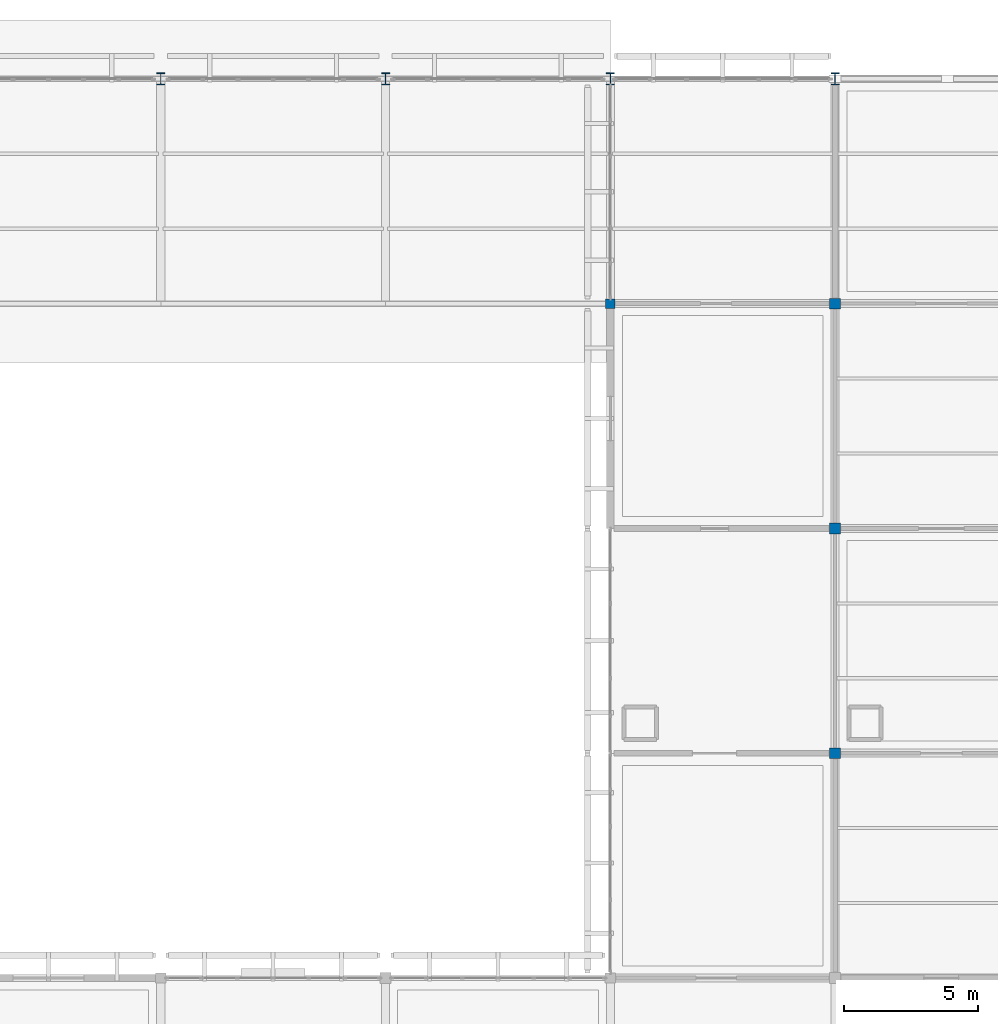
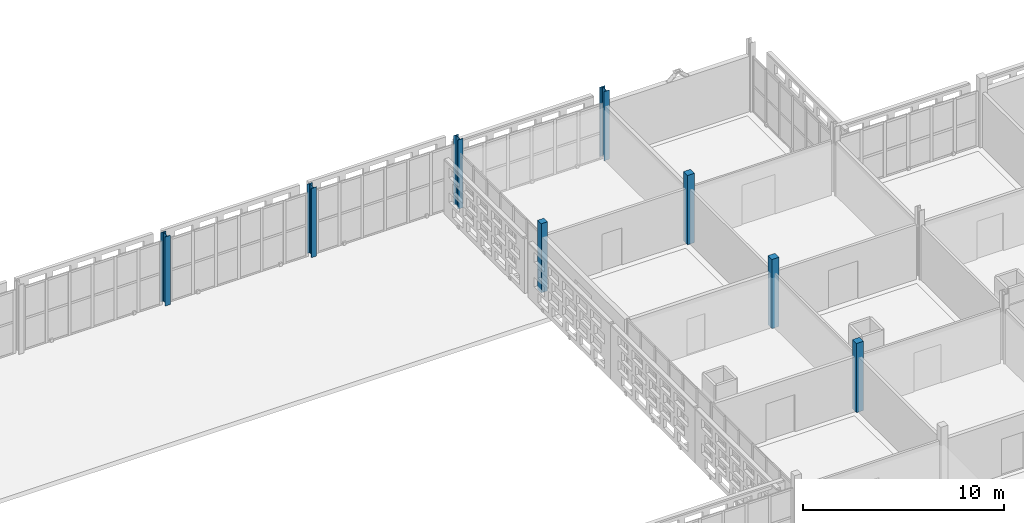
# One storey, part 10 of 166: 8 columns.
"""IFC4 building model written with IfcOpenShell, lengths in metres."""

from ifc_helpers import new_model, si_unit, direction, frame, origin, origin_2d, place, context, subcontext, project, spatial, rectangle, i_section, extrude, material, material_profile, profile_set, type_object, element, save


model = new_model("IFC4")

# Units and contexts
model_context = context("Model", 3, precision=1e-05, world=origin(), true_north=direction((0.0, 1.0)))
body_context = subcontext(model_context, "Body", "Model", "MODEL_VIEW")
ifc_project = project(units=[si_unit("LENGTHUNIT", "METRE"), si_unit("AREAUNIT", "SQUARE_METRE"), si_unit("VOLUMEUNIT", "CUBIC_METRE"), si_unit("PLANEANGLEUNIT", "RADIAN"), si_unit("MASSUNIT", "GRAM", prefix="KILO")], contexts=[model_context])

# Site, building, storey
site_placement = place(None, origin())
site = spatial("IfcSite", under=ifc_project, at=site_placement, CompositionType="ELEMENT")
building_placement = place(site_placement, origin())
building = spatial("IfcBuilding", under=site, at=building_placement, Name="Varnapada Polytechnic", CompositionType="ELEMENT")
storey_placement = place(building_placement, frame((0.0, 0.0, 9.60009765625)))
storey = spatial("IfcBuildingStorey", under=building, at=storey_placement, Name="L02", CompositionType="ELEMENT", Elevation=9.60009765625)

# Columns
ifc_material_1 = material(Name="Steel S355", Category="steel")
ifc_material_profile_1 = material_profile(ifc_material_1, i_section(OverallWidth=0.300048828125, OverallDepth=0.449951171875, WebThickness=0.013916015625, FlangeThickness=0.02587890625, FilletRadius=0.027099609375, at=origin_2d()), Name="HEB 450")
ifc_profile_set_1 = profile_set([ifc_material_profile_1], Name="Steel S355")
column_type_1 = type_object("IfcColumnType", Name="Column C-07 (HEB 450)", PredefinedType="COLUMN", material=ifc_profile_set_1)
for number, where, z_axis, x_axis, name in (
    (1, (100.800048828125, 126.0, 0.0), (0.0, 0.0, 1.0), (1.0, 0.0, 0.0), "L02 column 13/16"),
    (2, (109.199951171875, 126.0, 0.0), (0.0, 0.0, 1.0), (1.0, 0.0, 0.0), "L02 column 14/16"),
    (3, (117.60009765625, 126.0, 0.0), (0.0, 0.0, 1.0), (1.0, 0.0, 0.0), "L02 column 15/16"),
    (4, (126.0, 126.0, 0.0), (0.0, 0.0, 1.0), (1.0, 0.0, 0.0), "L02 column 16/16"),
):
    element("IfcColumn", number, at=place(storey_placement, frame(where, z_axis=z_axis, x_axis=x_axis)), inside=storey, type_object=column_type_1, Name=name, PredefinedType="COLUMN", context=body_context, shape_type="SweptSolid", body=[
        extrude(i_section(OverallWidth=0.300048828125, OverallDepth=0.449951171875, WebThickness=0.013916015625, FlangeThickness=0.02587890625, FilletRadius=0.027099609375, at=origin_2d()), origin(), (0.0, 0.0, 1.0), 4.199951171875),
    ])
ifc_material_2 = material(Name="Glulam GL32h", Category="wood")
ifc_material_profile_2 = material_profile(ifc_material_2, rectangle(XDim=0.39990234375, YDim=0.39990234375, at=origin_2d()), Name="GL 400x400")
ifc_profile_set_2 = profile_set([ifc_material_profile_2], Name="Glulam GL32h")
column_type_2 = type_object("IfcColumnType", Name="Column C-13 (GL 400x400)", PredefinedType="COLUMN", material=ifc_profile_set_2)
for number, where, z_axis, x_axis, name in (
    (5, (126.0, 100.800048828125, 0.0), (0.0, 0.0, 1.0), (1.0, 0.0, 0.0), "L02 column 16/13"),
    (6, (126.0, 109.199951171875, 0.0), (0.0, 0.0, 1.0), (1.0, 0.0, 0.0), "L02 column 16/14"),
    (7, (126.0, 117.60009765625, 0.0), (0.0, 0.0, 1.0), (1.0, 0.0, 0.0), "L02 column 16/15"),
):
    element("IfcColumn", number, at=place(storey_placement, frame(where, z_axis=z_axis, x_axis=x_axis)), inside=storey, type_object=column_type_2, Name=name, PredefinedType="COLUMN", context=body_context, shape_type="SweptSolid", body=[
        extrude(rectangle(XDim=0.39990234375, YDim=0.39990234375, at=origin_2d()), origin(), (0.0, 0.0, 1.0), 4.199951171875),
    ])
ifc_material_profile_3 = material_profile(ifc_material_2, rectangle(XDim=0.360107421875, YDim=0.360107421875, at=origin_2d()), Name="GL 360x360")
ifc_profile_set_3 = profile_set([ifc_material_profile_3], Name="Glulam GL32h")
column_type_3 = type_object("IfcColumnType", Name="Column C-14 (GL 360x360)", PredefinedType="COLUMN", material=ifc_profile_set_3)
column_placement = place(storey_placement, frame((117.60009765625, 117.60009765625, 0.0), z_axis=(0.0, 0.0, 1.0), x_axis=(1.0, 0.0, 0.0)))
element("IfcColumn", 8, at=column_placement, inside=storey, type_object=column_type_3, Name="L02 column 15/15", PredefinedType="COLUMN", context=body_context, shape_type="SweptSolid", body=[
    extrude(rectangle(XDim=0.360107421875, YDim=0.360107421875, at=origin_2d()), origin(), (0.0, 0.0, 1.0), 4.199951171875),
])

save(model, "model.ifc")
